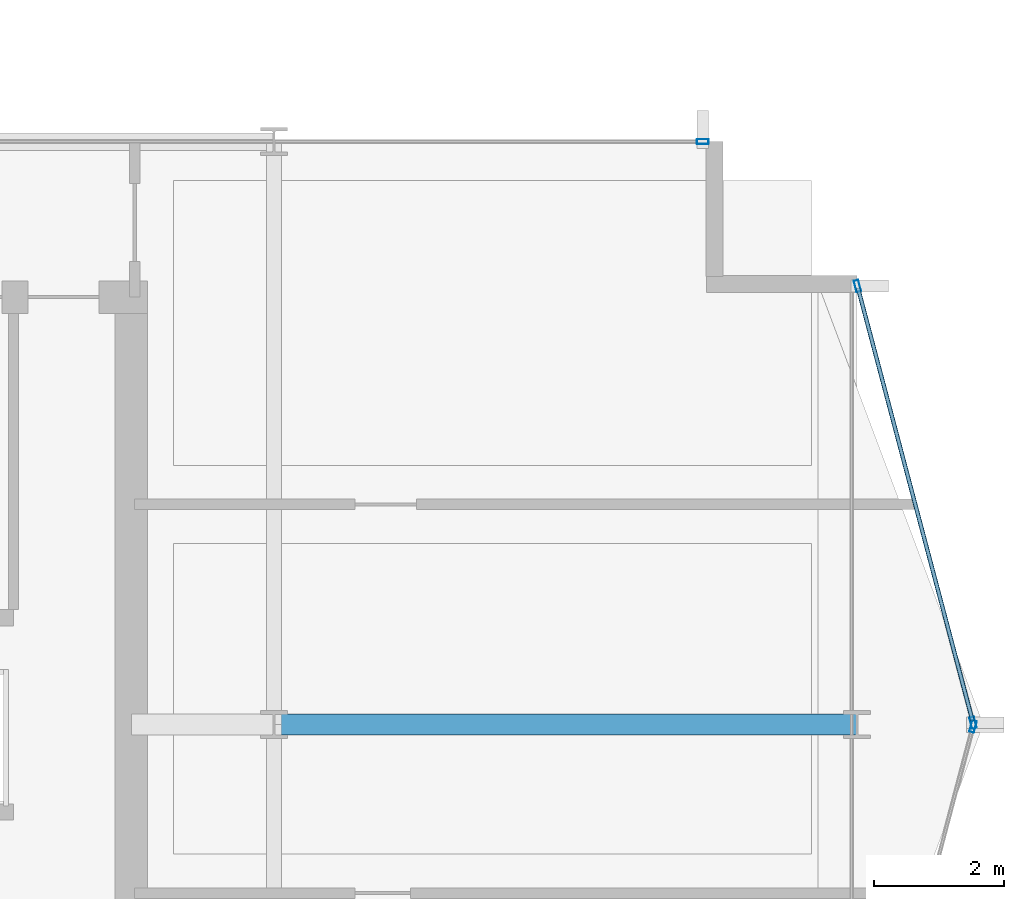
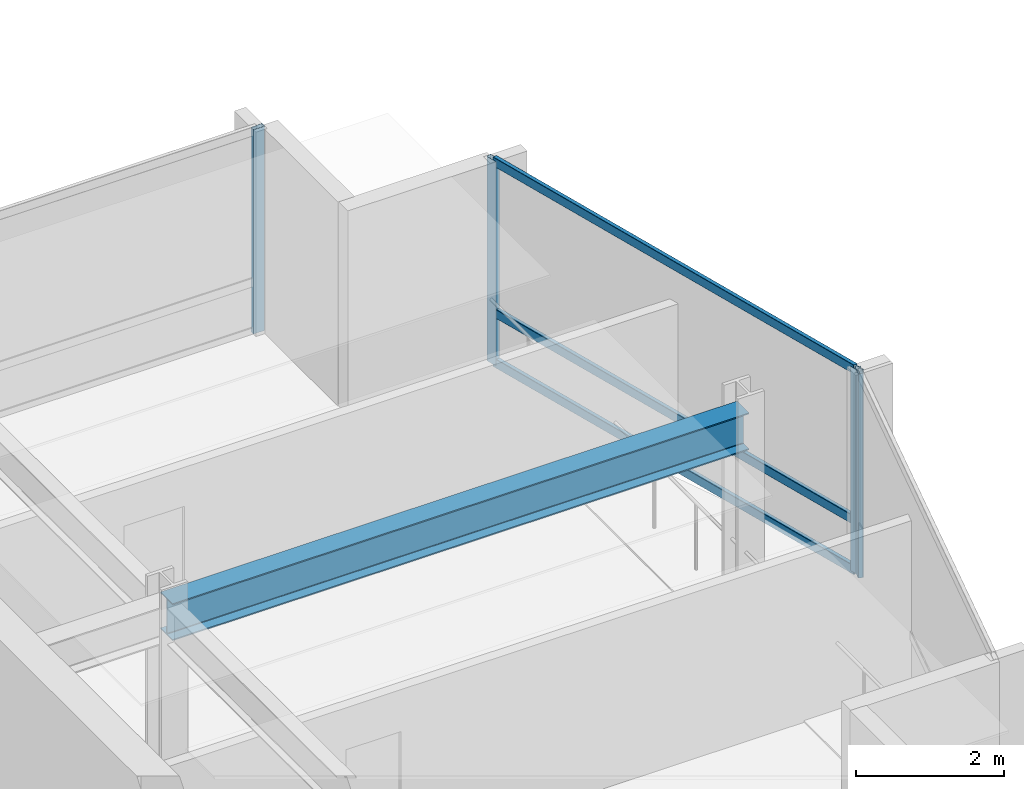
# One storey, part 14 of 29: 7 members, 1 beam, 3 elements without a shape of their own.
"""IFC4 building model written with IfcOpenShell, lengths in metres."""

import ifcopenshell
import ifcopenshell.guid

model = None  # the IFC model being written
_history = None  # IfcOwnerHistory: only IFC2X3 demands one
_inside = {}  # id of a spatial element -> (the spatial element, [elements in it])
_under = {}  # id of a project, library or spatial element -> (it, [spatial elements below it])
_declared = {}  # id of a project -> (the project, [libraries it declares])
_typed = {}  # id of a type object -> (the type object, [elements of that type])
_made_of = {}  # id of a material, layer set ... -> (it, [elements and type objects made of it])


def new_model(schema):
    """Start an empty IFC model of exactly this schema.

    Asked for "IFC4X3", IfcOpenShell would pick the latest addendum, in which some entities
    have other attributes; the version numbers below select the first issue.
    IFC2X3 requires an IfcOwnerHistory on every rooted entity: one is made here for all.
    """
    global model, _history
    if schema == "IFC4X3":
        model = ifcopenshell.file(schema_version=(4, 3, 0, 0))
    else:
        model = ifcopenshell.file(schema=schema)
    _inside.clear()
    _under.clear()
    _declared.clear()
    _typed.clear()
    _made_of.clear()
    _history = None
    if model.schema == "IFC2X3":
        org = make("IfcOrganization", Name="unknown")
        user = make(
            "IfcPersonAndOrganization",
            ThePerson=make("IfcPerson", FamilyName="unknown"),
            TheOrganization=org,
        )
        app = make(
            "IfcApplication",
            ApplicationDeveloper=org,
            Version="unknown",
            ApplicationFullName="unknown",
            ApplicationIdentifier="unknown",
        )
        _history = make(
            "IfcOwnerHistory",
            OwningUser=user,
            OwningApplication=app,
            ChangeAction="ADDED",
            CreationDate=0,
        )
    return model


def make(cls, **values):
    """One entity of the class cls with the attributes given. An attribute that is None is left unset."""
    return model.create_entity(
        cls, **{name: value for name, value in values.items() if value is not None}
    )


def rooted(cls, **values):
    """An entity with a GlobalId (a new one), such as an element, a storey or a relation."""
    return make(cls, GlobalId=ifcopenshell.guid.new(), OwnerHistory=_history, **values)


def si_unit(unit_type, name, prefix=None):
    """IfcSIUnit, for example si_unit("LENGTHUNIT", "METRE", prefix="MILLI")."""
    return make("IfcSIUnit", UnitType=unit_type, Prefix=prefix, Name=name)


def assignment(units):
    """IfcUnitAssignment: the units of a project."""
    return None if units is None else make("IfcUnitAssignment", Units=units)


def point(xyz):
    """IfcCartesianPoint."""
    return None if xyz is None else make("IfcCartesianPoint", Coordinates=xyz)


def direction(xyz):
    """IfcDirection."""
    return None if xyz is None else make("IfcDirection", DirectionRatios=xyz)


def frame(location, z_axis=None, x_axis=None):
    """IfcAxis2Placement3D, a coordinate frame: its origin and axes. An axis left out is left unset."""
    return make(
        "IfcAxis2Placement3D",
        Location=point(location),
        Axis=direction(z_axis),
        RefDirection=direction(x_axis),
    )


def frame_2d(location, x_axis=None):
    """IfcAxis2Placement2D, a coordinate frame in the plane: its origin and x axis."""
    return make(
        "IfcAxis2Placement2D", Location=point(location), RefDirection=direction(x_axis)
    )


def origin():
    """The frame at (0, 0, 0) with its axes left unset."""
    return frame((0.0, 0.0, 0.0))


def origin_2d():
    """The frame at (0, 0) in the plane with its x axis left unset."""
    return frame_2d((0.0, 0.0))


def place(relative_to, where):
    """IfcLocalPlacement: puts the frame where relative to a parent placement (None: the world)."""
    return make(
        "IfcLocalPlacement", PlacementRelTo=relative_to, RelativePlacement=where
    )


def context(
    kind, dimensions, precision=None, world=None, true_north=None, identifier=None
):
    """IfcGeometricRepresentationContext, for example the 3D "Model" context."""
    return make(
        "IfcGeometricRepresentationContext",
        ContextIdentifier=identifier,
        ContextType=kind,
        CoordinateSpaceDimension=dimensions,
        Precision=precision,
        WorldCoordinateSystem=world,
        TrueNorth=true_north,
    )


def subcontext(parent, identifier, kind, view, scale=None):
    """IfcGeometricRepresentationSubContext, for example "Body" below "Model"."""
    return make(
        "IfcGeometricRepresentationSubContext",
        ContextIdentifier=identifier,
        ContextType=kind,
        ParentContext=parent,
        TargetScale=scale,
        TargetView=view,
    )


def project(units=None, contexts=None):
    """IfcProject with its units and contexts."""
    return rooted(
        "IfcProject",
        Name="project",
        RepresentationContexts=contexts,
        UnitsInContext=assignment(units),
    )


def spatial(cls, under=None, at=None, **own):
    """A site, building, storey or space (cls), placed at a placement, below another one or the project."""
    s = rooted(cls, ObjectPlacement=at, **own)
    if under is not None:
        _under.setdefault(under.id(), (under, []))[1].append(s)
    return s


def profile(cls, at=None, kind="AREA", **sizes):
    """A parametric profile (cls). Its sizes go by their IFC names, for example OverallWidth=200.0."""
    return make(cls, ProfileType=kind, Position=at, **sizes)


def hollow_rectangle(**sizes):
    """IfcRectangleHollowProfileDef."""
    return profile("IfcRectangleHollowProfileDef", **sizes)


def i_section(**sizes):
    """IfcIShapeProfileDef."""
    return profile("IfcIShapeProfileDef", **sizes)


def extrude(swept, where, along, depth):
    """IfcExtrudedAreaSolid: the profile swept, set in the frame where, extruded along a direction by depth."""
    return make(
        "IfcExtrudedAreaSolid",
        SweptArea=swept,
        Position=where,
        ExtrudedDirection=direction(along),
        Depth=depth,
    )


def shape(context_of_items, identifier, shape_type, items):
    """IfcShapeRepresentation: the items that make up one representation, for example the "Body"."""
    return make(
        "IfcShapeRepresentation",
        ContextOfItems=context_of_items,
        RepresentationIdentifier=identifier,
        RepresentationType=shape_type,
        Items=items,
    )


def material(Name=None, Category=None):
    """IfcMaterial."""
    return make("IfcMaterial", Name=Name, Category=Category)


def layer(
    of_material, thickness, ventilated=None, Name=None, Category=None, Priority=None
):
    """IfcMaterialLayer: one layer of a wall or slab, of a material (None: an air gap)."""
    return make(
        "IfcMaterialLayer",
        Material=of_material,
        LayerThickness=thickness,
        IsVentilated=ventilated,
        Name=Name,
        Category=Category,
        Priority=Priority,
    )


def layer_set(layers, Name=None):
    """IfcMaterialLayerSet."""
    return make("IfcMaterialLayerSet", MaterialLayers=layers, LayerSetName=Name)


def material_profile(
    of_material, cross_section, Name=None, Category=None, Priority=None
):
    """IfcMaterialProfile: a cross section and its material."""
    return make(
        "IfcMaterialProfile",
        Name=Name,
        Material=of_material,
        Profile=cross_section,
        Priority=Priority,
        Category=Category,
    )


def profile_set(profiles, Name=None, composite=None):
    """IfcMaterialProfileSet."""
    return make(
        "IfcMaterialProfileSet",
        Name=Name,
        MaterialProfiles=profiles,
        CompositeProfile=composite,
    )


def made_of(thing, what):
    """Note that an element or type object is made of a material, layer set ...; save() writes the relation."""
    if what is not None:
        _made_of.setdefault(what.id(), (what, []))[1].append(thing)
    return thing


def type_object(cls, material=None, **own):
    """A type object (cls), such as IfcWallType, which elements share."""
    return made_of(rooted(cls, **own), material)


def element(
    cls,
    number,
    at=None,
    inside=None,
    cuts=None,
    type_object=None,
    material=None,
    context=None,
    identifier="Body",
    shape_type=None,
    held_by="IfcProductDefinitionShape",
    body=None,
    shapes=None,
    **own,
):
    """One element of the class cls, such as IfcWall. Its Tag is "e" and its number.

    at: its placement. inside: the storey or other place that contains it. cuts: it is an
    opening in that element (IfcRelVoidsElement). A single representation is given by context,
    identifier, shape_type and body (its items); several are given by shapes. held_by: the class
    of the entity that holds the representations. save() writes the other relations.
    """
    e = rooted(cls, Tag="e%d" % number, ObjectPlacement=at, **own)
    if body is not None:
        shapes = [shape(context, identifier, shape_type, body)]
    if shapes is not None:
        e.Representation = make(held_by, Representations=shapes)
    if inside is not None:
        _inside.setdefault(inside.id(), (inside, []))[1].append(e)
    if cuts is not None:
        rooted(
            "IfcRelVoidsElement", RelatingBuildingElement=cuts, RelatedOpeningElement=e
        )
    if type_object is not None:
        _typed.setdefault(type_object.id(), (type_object, []))[1].append(e)
    return made_of(e, material)


def aggregate(whole, parts):
    """IfcRelAggregates: a whole, such as a stair, and the parts it consists of."""
    return rooted("IfcRelAggregates", RelatingObject=whole, RelatedObjects=parts)


def save(model, path):
    """Write the relations noted so far, then the file.

    IfcRelAggregates (storeys below a building ...), IfcRelContainedInSpatialStructure (elements
    in a storey), IfcRelDefinesByType, IfcRelAssociatesMaterial and IfcRelDeclares: one each for
    every whole, place, type object, material and project.
    """
    for whole, parts in _under.values():
        aggregate(whole, parts)
    for where, things in _inside.values():
        rooted(
            "IfcRelContainedInSpatialStructure",
            RelatedElements=things,
            RelatingStructure=where,
        )
    for kind, things in _typed.values():
        rooted("IfcRelDefinesByType", RelatedObjects=things, RelatingType=kind)
    for what, things in _made_of.values():
        rooted("IfcRelAssociatesMaterial", RelatedObjects=things, RelatingMaterial=what)
    for by, libraries in _declared.values():
        rooted("IfcRelDeclares", RelatingContext=by, RelatedDefinitions=libraries)
    model.write(path)


model = new_model("IFC4")

# Units and contexts
model_context = context("Model", 3, precision=1e-05, world=origin(), true_north=direction((0.0, 1.0)))
body_context = subcontext(model_context, "Body", "Model", "MODEL_VIEW")
ifc_project = project(units=[si_unit("LENGTHUNIT", "METRE"), si_unit("AREAUNIT", "SQUARE_METRE"), si_unit("VOLUMEUNIT", "CUBIC_METRE"), si_unit("PLANEANGLEUNIT", "RADIAN"), si_unit("MASSUNIT", "GRAM", prefix="KILO")], contexts=[model_context])

# Site, building, storey
site_placement = place(None, origin())
site = spatial("IfcSite", under=ifc_project, at=site_placement, CompositionType="ELEMENT")
building_placement = place(site_placement, origin())
building = spatial("IfcBuilding", under=site, at=building_placement, Name="Solvaryn Broadcast Tower", CompositionType="ELEMENT")
storey_placement = place(building_placement, frame((0.0, 0.0, 165.5)))
storey = spatial("IfcBuildingStorey", under=building, at=storey_placement, Name="L41", CompositionType="ELEMENT", Elevation=165.5)

# Beam
ifc_material_1 = material(Name="Steel ASTM A992 Grade 50", Category="steel")
ifc_material_profile_1 = material_profile(ifc_material_1, i_section(OverallWidth=0.323974609375, OverallDepth=0.611083984375, WebThickness=0.0126953125, FlangeThickness=0.01904296875, FilletRadius=0.014892578125, at=origin_2d()))
ifc_profile_set_1 = profile_set([ifc_material_profile_1], Name="Steel ASTM A992 Grade 50")
beam_type = type_object("IfcBeamType", Name="BM-B1-W24X104", PredefinedType="BEAM", material=ifc_profile_set_1)
beam_placement = place(storey_placement, frame((45.0, 18.0, 3.064453125), z_axis=(1.0, 0.0, 0.0), x_axis=(0.0, 1.0, 0.0)))
element("IfcBeam", 1, at=beam_placement, inside=storey, type_object=beam_type, Name="L41 Primary Beam X (45-54 @ Y=18)", PredefinedType="BEAM", context=body_context, shape_type="SweptSolid", body=[
    extrude(i_section(OverallWidth=0.323974609375, OverallDepth=0.611083984375, WebThickness=0.0126953125, FlangeThickness=0.01904296875, FilletRadius=0.014892578125, at=origin_2d()), origin(), (0.0, 0.0, 1.0), 9.0),
])

# Curtain wall, members
ifc_material_2 = material(Name="Aluminium and Terracotta Unitised Curtain Wall", Category="masonry")
ifc_layer = layer(ifc_material_2, 0.199951171875)
ifc_layer_set = layer_set([ifc_layer], Name="CW-SYS2-LOWMID")
curtain_wall_type = type_object("IfcCurtainWallType", Name="CW-SYS2-LOWMID", PredefinedType="NOTDEFINED", material=ifc_layer_set)
curtain_wall_1_placement = place(storey_placement, origin())
curtain_wall_1 = element("IfcCurtainWall", 2, at=curtain_wall_1_placement, inside=storey, type_object=curtain_wall_type, Name="L41 Curtain Wall ET1", PredefinedType="NOTDEFINED")
ifc_material_3 = material(Name="Anodised Aluminium 6063-T6", Category="aluminium")
ifc_material_profile_2 = material_profile(ifc_material_3, hollow_rectangle(XDim=0.074951171875, YDim=0.179931640625, WallThickness=0.00390625, InnerFilletRadius=0.00390625, OuterFilletRadius=0.008056640625, at=origin_2d()))
ifc_profile_set_2 = profile_set([ifc_material_profile_2], Name="Anodised Aluminium 6063-T6")
member_type_1 = type_object("IfcMemberType", Name="CW-MUL-180", PredefinedType="MULLION", material=ifc_profile_set_2)
member_1_placement = place(storey_placement, frame((54.007568359375, 24.77099609375, 0.0), z_axis=(0.0, 0.0, 1.0), x_axis=(0.966705227863, 0.25589256031, 0.0)))
member_1 = element("IfcMember", 3, at=member_1_placement, type_object=member_type_1, Name="CWS2 mullion 1", PredefinedType="MULLION", context=body_context, shape_type="SweptSolid", body=[
    extrude(hollow_rectangle(XDim=0.074951171875, YDim=0.179931640625, WallThickness=0.00390625, InnerFilletRadius=0.00390625, OuterFilletRadius=0.008056640625, at=origin_2d()), origin(), (0.0, 0.0, 1.0), 3.3701171875),
])
member_2_placement = place(storey_placement, frame((55.792236328125, 18.029052734375, 0.0), z_axis=(0.0, 0.0, 1.0), x_axis=(0.966705227863, 0.25589256031, 0.0)))
member_2 = element("IfcMember", 4, at=member_2_placement, type_object=member_type_1, Name="CWS2 mullion 2", PredefinedType="MULLION", context=body_context, shape_type="SweptSolid", body=[
    extrude(hollow_rectangle(XDim=0.074951171875, YDim=0.179931640625, WallThickness=0.00390625, InnerFilletRadius=0.00390625, OuterFilletRadius=0.008056640625, at=origin_2d()), origin(), (0.0, 0.0, 1.0), 3.3701171875),
])

# Curtain wall, member
curtain_wall_2_placement = place(storey_placement, origin())
curtain_wall_2 = element("IfcCurtainWall", 5, at=curtain_wall_2_placement, inside=storey, type_object=curtain_wall_type, Name="L41 Curtain Wall ET2", PredefinedType="NOTDEFINED")
member_3_placement = place(storey_placement, frame((55.792236328125, 17.970947265625, 0.0), z_axis=(0.0, 0.0, 1.0), x_axis=(0.966705227863, -0.25589256031, 0.0)))
member_3 = element("IfcMember", 6, at=member_3_placement, type_object=member_type_1, Name="CWS2 mullion 1", PredefinedType="MULLION", context=body_context, shape_type="SweptSolid", body=[
    extrude(hollow_rectangle(XDim=0.074951171875, YDim=0.179931640625, WallThickness=0.00390625, InnerFilletRadius=0.00390625, OuterFilletRadius=0.008056640625, at=origin_2d()), origin(), (0.0, 0.0, 1.0), 3.3701171875),
])
aggregate(curtain_wall_2, [member_3])

curtain_wall_3_placement = place(storey_placement, origin())
curtain_wall_3 = element("IfcCurtainWall", 7, at=curtain_wall_3_placement, inside=storey, type_object=curtain_wall_type, Name="L41 Curtain Wall IH", PredefinedType="NOTDEFINED")
member_4_placement = place(storey_placement, frame((51.6201171875, 27.0, 0.0), z_axis=(0.0, 0.0, 1.0), x_axis=(0.0, 1.0, 0.0)))
member_4 = element("IfcMember", 8, at=member_4_placement, type_object=member_type_1, Name="CWS2 mullion 2", PredefinedType="MULLION", context=body_context, shape_type="SweptSolid", body=[
    extrude(hollow_rectangle(XDim=0.074951171875, YDim=0.179931640625, WallThickness=0.00390625, InnerFilletRadius=0.00390625, OuterFilletRadius=0.008056640625, at=origin_2d()), origin(), (0.0, 0.0, 1.0), 3.3701171875),
])
aggregate(curtain_wall_3, [member_4])

# Member
ifc_material_4 = material(Name="Anodised Aluminium 6063-T6", Category="aluminium")
ifc_material_profile_3 = material_profile(ifc_material_4, hollow_rectangle(XDim=0.06494140625, YDim=0.14990234375, WallThickness=0.00390625, InnerFilletRadius=0.00390625, OuterFilletRadius=0.008056640625, at=origin_2d()))
ifc_profile_set_3 = profile_set([ifc_material_profile_3], Name="Anodised Aluminium 6063-T6")
member_type_2 = type_object("IfcMemberType", Name="CW-TRN-150", PredefinedType="USERDEFINED", material=ifc_profile_set_3)
member_5_placement = place(storey_placement, frame((54.015380859375, 24.741943359375, 0.030029296875), z_axis=(0.255897413051, -0.966703943301, 0.0), x_axis=(0.966703943301, 0.255897413051, 0.0)))
member_5 = element("IfcMember", 9, at=member_5_placement, type_object=member_type_2, Name="CWS2 transom 1.1", ObjectType="TRANSOM", PredefinedType="USERDEFINED", context=body_context, shape_type="SweptSolid", body=[
    extrude(hollow_rectangle(XDim=0.06494140625, YDim=0.14990234375, WallThickness=0.00390625, InnerFilletRadius=0.00390625, OuterFilletRadius=0.008056640625, at=origin_2d()), origin(), (0.0, 0.0, 1.0), 6.9140625),
])

member_6_placement = place(storey_placement, frame((54.015380859375, 24.741943359375, 0.85009765625), z_axis=(0.255897413051, -0.966703943301, 0.0), x_axis=(0.966703943301, 0.255897413051, 0.0)))
member_6 = element("IfcMember", 10, at=member_6_placement, type_object=member_type_2, Name="CWS2 transom 1.2", ObjectType="TRANSOM", PredefinedType="USERDEFINED", context=body_context, shape_type="SweptSolid", body=[
    extrude(hollow_rectangle(XDim=0.06494140625, YDim=0.14990234375, WallThickness=0.00390625, InnerFilletRadius=0.00390625, OuterFilletRadius=0.008056640625, at=origin_2d()), origin(), (0.0, 0.0, 1.0), 6.9140625),
])

member_7_placement = place(storey_placement, frame((54.015380859375, 24.741943359375, 3.340087890625), z_axis=(0.255897413051, -0.966703943301, 0.0), x_axis=(0.966703943301, 0.255897413051, 0.0)))
member_7 = element("IfcMember", 11, at=member_7_placement, type_object=member_type_2, Name="CWS2 transom 1.3", ObjectType="TRANSOM", PredefinedType="USERDEFINED", context=body_context, shape_type="SweptSolid", body=[
    extrude(hollow_rectangle(XDim=0.06494140625, YDim=0.14990234375, WallThickness=0.00390625, InnerFilletRadius=0.00390625, OuterFilletRadius=0.008056640625, at=origin_2d()), origin(), (0.0, 0.0, 1.0), 6.9140625),
])

aggregate(curtain_wall_1, [member_1, member_2, member_5, member_6, member_7])

save(model, "model.ifc")
